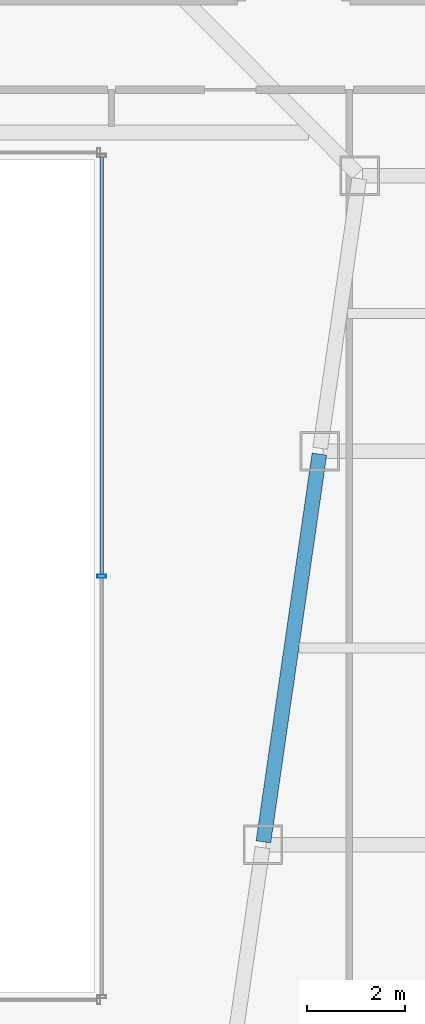
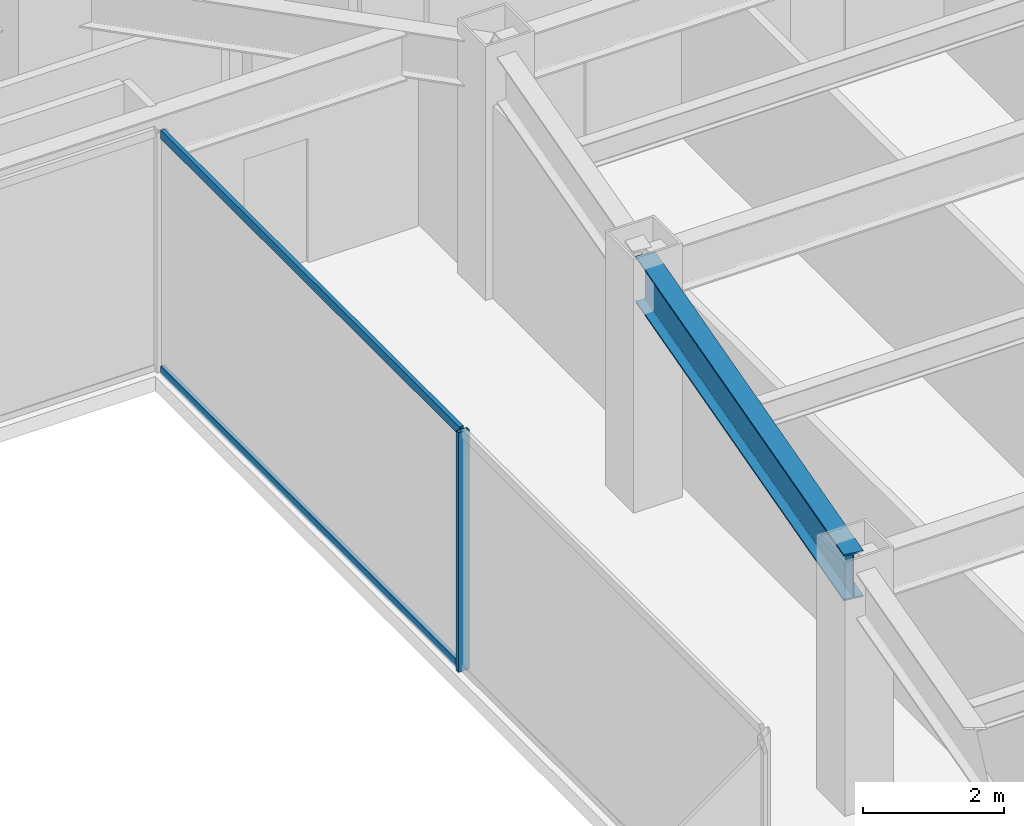
# One storey, part 20 of 47: 3 members, 1 beam, 1 element without a shape of its own.
"""IFC4 building model written with IfcOpenShell, lengths in metres."""

from ifc_helpers import new_model, si_unit, direction, frame, origin, origin_2d, place, context, subcontext, project, spatial, hollow_rectangle, i_section, extrude, material, material_profile, profile_set, type_object, element, aggregate, save


model = new_model("IFC4")

# Units and contexts
model_context = context("Model", 3, precision=1e-05, world=origin(), true_north=direction((0.0, 1.0)))
body_context = subcontext(model_context, "Body", "Model", "MODEL_VIEW")
ifc_project = project(units=[si_unit("LENGTHUNIT", "METRE"), si_unit("AREAUNIT", "SQUARE_METRE"), si_unit("VOLUMEUNIT", "CUBIC_METRE"), si_unit("PLANEANGLEUNIT", "RADIAN"), si_unit("MASSUNIT", "GRAM", prefix="KILO")], contexts=[model_context])

# Site, building, storey
site_placement = place(None, origin())
site = spatial("IfcSite", under=ifc_project, at=site_placement, CompositionType="ELEMENT")
building_placement = place(site_placement, origin())
building = spatial("IfcBuilding", under=site, at=building_placement, Name="Saevonmaru Cultural Tower", CompositionType="ELEMENT")
storey_placement = place(building_placement, frame((0.0, 0.0, 60.39990234375)))
storey = spatial("IfcBuildingStorey", under=building, at=storey_placement, Name="L12", CompositionType="ELEMENT", Elevation=60.39990234375)

# Beam
ifc_material_1 = material(Name="Steel SM420", Category="steel")
ifc_material_profile_1 = material_profile(ifc_material_1, i_section(OverallWidth=0.300048828125, OverallDepth=0.800048828125, WebThickness=0.013916015625, FlangeThickness=0.02587890625, FilletRadius=0.028076171875, at=origin_2d()), Name="H-800x300x14x26")
ifc_profile_set_1 = profile_set([ifc_material_profile_1], Name="Steel SM420")
beam_type = type_object("IfcBeamType", Name="BM-G-H800", PredefinedType="BEAM", material=ifc_profile_set_1)
beam_placement = place(storey_placement, frame((39.236572265625, 24.059326171875, 3.75), z_axis=(0.142902032203, 0.989736838353, 0.0), x_axis=(-0.989736838353, 0.142902032203, 0.0)))
element("IfcBeam", 1, at=beam_placement, inside=storey, type_object=beam_type, Name="L12 East Atrium Girder 4", PredefinedType="BEAM", context=body_context, shape_type="SweptSolid", body=[
    extrude(i_section(OverallWidth=0.300048828125, OverallDepth=0.800048828125, WebThickness=0.013916015625, FlangeThickness=0.02587890625, FilletRadius=0.028076171875, at=origin_2d()), origin(), (0.0, 0.0, 1.0), 7.963134765625),
])

# Curtain wall, members
ifc_material_2 = material(Name="Satin Bronze Anodised Aluminium", Category="aluminium")
curtain_wall_type = type_object("IfcCurtainWallType", Name="CW-ATR-GLZ", PredefinedType="NOTDEFINED", material=ifc_material_2)
curtain_wall_placement = place(storey_placement, origin())
curtain_wall = element("IfcCurtainWall", 2, at=curtain_wall_placement, inside=storey, type_object=curtain_wall_type, Name="L12 Vertical Atrium Glazed Smoke Screen 2", PredefinedType="NOTDEFINED")
ifc_material_profile_2 = material_profile(ifc_material_2, hollow_rectangle(XDim=0.06494140625, YDim=0.179931640625, WallThickness=0.00390625, at=origin_2d()), Name="ALU-MULL-180x65x4")
ifc_profile_set_2 = profile_set([ifc_material_profile_2], Name="Satin Bronze Anodised Aluminium")
member_type_1 = type_object("IfcMemberType", Name="ML-CW-INT-180x65", PredefinedType="MULLION", material=ifc_profile_set_2)
member_1_placement = place(storey_placement, frame((35.949951171875, 29.4599609375, 0.0), z_axis=(0.0, 0.0, 1.0), x_axis=(0.0, 1.0, 0.0)))
member_1 = element("IfcMember", 3, at=member_1_placement, type_object=member_type_1, Name="CW-ATR-L12-2 mullion 2", PredefinedType="MULLION", context=body_context, shape_type="SweptSolid", body=[
    extrude(hollow_rectangle(XDim=0.06494140625, YDim=0.179931640625, WallThickness=0.00390625, at=origin_2d()), origin(), (0.0, 0.0, 1.0), 4.150146484375),
])
ifc_material_profile_3 = material_profile(ifc_material_2, hollow_rectangle(XDim=0.06494140625, YDim=0.14990234375, WallThickness=0.00390625, at=origin_2d()), Name="ALU-TRAN-150x65x4")
ifc_profile_set_3 = profile_set([ifc_material_profile_3], Name="Satin Bronze Anodised Aluminium")
member_type_2 = type_object("IfcMemberType", Name="TR-CW-INT-150x65", PredefinedType="USERDEFINED", material=ifc_profile_set_3)
member_2_placement = place(storey_placement, frame((35.949951171875, 29.492431640625, 0.03271484375), z_axis=(0.0, 1.0, 0.0), x_axis=(-1.0, 0.0, 0.0)))
member_2 = element("IfcMember", 4, at=member_2_placement, type_object=member_type_2, Name="CW-ATR-L12-2 transom 2.1", ObjectType="TRANSOM", PredefinedType="USERDEFINED", context=body_context, shape_type="SweptSolid", body=[
    extrude(hollow_rectangle(XDim=0.06494140625, YDim=0.14990234375, WallThickness=0.00390625, at=origin_2d()), origin(), (0.0, 0.0, 1.0), 8.485107421875),
])
member_3_placement = place(storey_placement, frame((35.949951171875, 29.492431640625, 4.11767578125), z_axis=(0.0, 1.0, 0.0), x_axis=(-1.0, 0.0, 0.0)))
member_3 = element("IfcMember", 5, at=member_3_placement, type_object=member_type_2, Name="CW-ATR-L12-2 transom 2.2", ObjectType="TRANSOM", PredefinedType="USERDEFINED", context=body_context, shape_type="SweptSolid", body=[
    extrude(hollow_rectangle(XDim=0.06494140625, YDim=0.14990234375, WallThickness=0.00390625, at=origin_2d()), origin(), (0.0, 0.0, 1.0), 8.485107421875),
])
aggregate(curtain_wall, [member_1, member_2, member_3])

save(model, "model.ifc")
